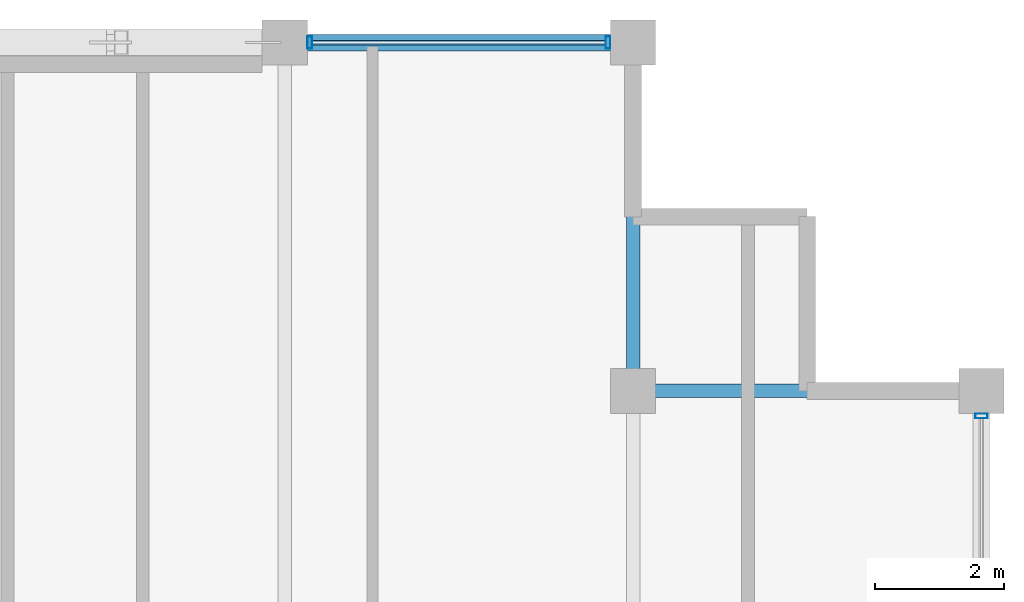
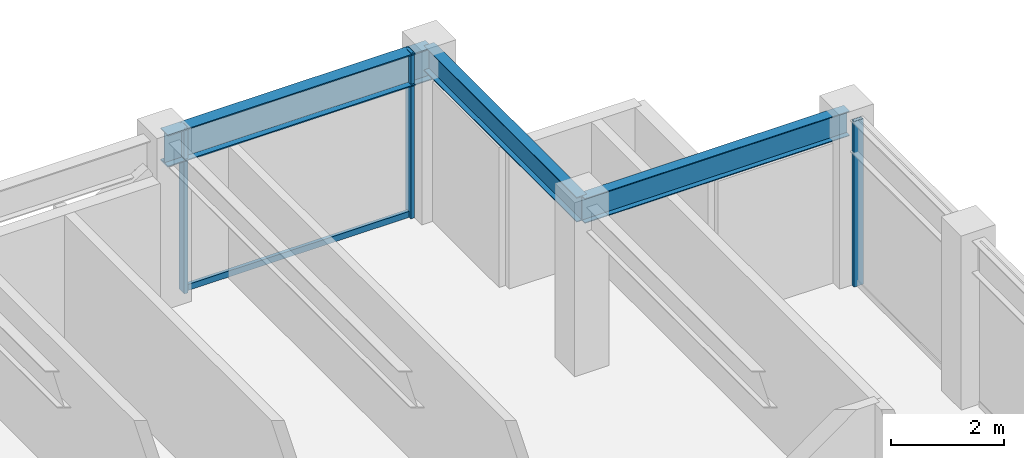
# One storey, part 22 of 30: 4 members, 3 beams, 2 elements without a shape of their own.
"""IFC4 building model written with IfcOpenShell, lengths in metres."""

from ifc_helpers import new_model, si_unit, direction, frame, origin, origin_2d, place, context, subcontext, project, spatial, hollow_rectangle, i_section, extrude, material, layer, layer_set, material_profile, profile_set, type_object, element, aggregate, save


model = new_model("IFC4")

# Units and contexts
model_context = context("Model", 3, precision=1e-05, world=origin(), true_north=direction((0.0, 1.0)))
body_context = subcontext(model_context, "Body", "Model", "MODEL_VIEW")
ifc_project = project(units=[si_unit("LENGTHUNIT", "METRE"), si_unit("AREAUNIT", "SQUARE_METRE"), si_unit("VOLUMEUNIT", "CUBIC_METRE"), si_unit("PLANEANGLEUNIT", "RADIAN"), si_unit("MASSUNIT", "GRAM", prefix="KILO")], contexts=[model_context])

# Site, building, storey
site_placement = place(None, origin())
site = spatial("IfcSite", under=ifc_project, at=site_placement, CompositionType="ELEMENT")
building_placement = place(site_placement, origin())
building = spatial("IfcBuilding", under=site, at=building_placement, Name="Surkhivell Harbour Commons", CompositionType="ELEMENT")
storey_placement = place(building_placement, frame((0.0, 0.0, 300.0)))
storey = spatial("IfcBuildingStorey", under=building, at=storey_placement, Name="L78", CompositionType="ELEMENT", Elevation=300.0)

# Beams
ifc_material_1 = material(Name="Steel S355", Category="steel")
ifc_material_profile_1 = material_profile(ifc_material_1, i_section(OverallWidth=0.2099609375, OverallDepth=0.537109375, WebThickness=0.0107421875, FlangeThickness=0.017333984375, at=origin_2d()), Name="UB533x210x101")
ifc_profile_set_1 = profile_set([ifc_material_profile_1], Name="Steel S355")
beam_type_1 = type_object("IfcBeamType", Name="BM-GRD-533B", PredefinedType="BEAM", material=ifc_profile_set_1)
for number, where, z_axis, x_axis, name in (
    (1, (10.800048828125, 20.5, 3.301513671875), (0.0, 1.0, 0.0), (-1.0, 0.0, 0.0), "L78 Floor Girder (10.8,20.5)"),
    (2, (10.800048828125, 20.5, 3.301513671875), (1.0, 0.0, 0.0), (0.0, 1.0, 0.0), "L78 Floor Girder (10.8,20.5)"),
):
    element("IfcBeam", number, at=place(storey_placement, frame(where, z_axis=z_axis, x_axis=x_axis)), inside=storey, type_object=beam_type_1, Name=name, PredefinedType="BEAM", context=body_context, shape_type="SweptSolid", body=[
        extrude(i_section(OverallWidth=0.2099609375, OverallDepth=0.537109375, WebThickness=0.0107421875, FlangeThickness=0.017333984375, at=origin_2d()), origin(), (0.0, 0.0, 1.0), 5.39990234375),
    ])
ifc_material_profile_2 = material_profile(ifc_material_1, i_section(OverallWidth=0.256103515625, OverallDepth=0.693115234375, WebThickness=0.014404296875, FlangeThickness=0.023681640625, at=origin_2d()), Name="UB686x254x170")
ifc_profile_set_2 = profile_set([ifc_material_profile_2], Name="Steel S355")
beam_type_2 = type_object("IfcBeamType", Name="BM-SPN-686", PredefinedType="SPANDREL", material=ifc_profile_set_2)
beam_placement = place(storey_placement, frame((5.39990234375, 25.89990234375, 3.223388671875), z_axis=(1.0, 0.0, 0.0), x_axis=(0.0, 1.0, 0.0)))
element("IfcBeam", 3, at=beam_placement, inside=storey, type_object=beam_type_2, Name="L78 Tube Spandrel (5.4,25.9)", PredefinedType="SPANDREL", context=body_context, shape_type="SweptSolid", body=[
    extrude(i_section(OverallWidth=0.256103515625, OverallDepth=0.693115234375, WebThickness=0.014404296875, FlangeThickness=0.023681640625, at=origin_2d()), origin(), (0.0, 0.0, 1.0), 5.400146484375),
])

# Curtain wall, member
ifc_material_2 = material(Name="Anodised pale-metal aluminium and insulated glazing", Category="aluminium")
ifc_layer = layer(ifc_material_2, 0.175048828125)
ifc_layer_set = layer_set([ifc_layer], Name="Anodised pale-metal aluminium and insulated glazing")
curtain_wall_type = type_object("IfcCurtainWallType", Name="CW-SYS-Z4", PredefinedType="NOTDEFINED", material=ifc_layer_set)
curtain_wall_1_placement = place(storey_placement, origin())
curtain_wall_1 = element("IfcCurtainWall", 4, at=curtain_wall_1_placement, inside=storey, type_object=curtain_wall_type, Name="L78 Curtain Wall CW-L78-E02", PredefinedType="NOTDEFINED")
ifc_material_3 = material(Name="Anodised pale-metal aluminium alloy 6063-T6", Category="aluminium")
ifc_material_profile_3 = material_profile(ifc_material_3, hollow_rectangle(XDim=0.074951171875, YDim=0.18994140625, WallThickness=0.00390625, at=origin_2d()), Name="ALU-MULL-75x190")
ifc_profile_set_3 = profile_set([ifc_material_profile_3], Name="Anodised pale-metal aluminium alloy 6063-T6")
member_type_1 = type_object("IfcMemberType", Name="CWM-190", PredefinedType="MULLION", material=ifc_profile_set_3)
member_1_placement = place(storey_placement, frame((16.199951171875, 20.110595703125, 0.0), z_axis=(0.0, 0.0, 1.0), x_axis=(0.0, 1.0, 0.0)))
member_1 = element("IfcMember", 5, at=member_1_placement, type_object=member_type_1, Name="CW-Z4 mullion 6", PredefinedType="MULLION", context=body_context, shape_type="SweptSolid", body=[
    extrude(hollow_rectangle(XDim=0.074951171875, YDim=0.18994140625, WallThickness=0.00390625, at=origin_2d()), origin(), (0.0, 0.0, 1.0), 3.570068359375),
])
aggregate(curtain_wall_1, [member_1])

# Curtain wall, members
curtain_wall_2_placement = place(storey_placement, origin())
curtain_wall_2 = element("IfcCurtainWall", 6, at=curtain_wall_2_placement, inside=storey, type_object=curtain_wall_type, Name="L78 Curtain Wall CW-L78-E07S1", PredefinedType="NOTDEFINED")
member_2_placement = place(storey_placement, frame((10.410400390625, 25.89990234375, 0.0), z_axis=(0.0, 0.0, 1.0), x_axis=(-1.0, 0.0, 0.0)))
member_2 = element("IfcMember", 7, at=member_2_placement, type_object=member_type_1, Name="CW-Z4 mullion 1", PredefinedType="MULLION", context=body_context, shape_type="SweptSolid", body=[
    extrude(hollow_rectangle(XDim=0.074951171875, YDim=0.18994140625, WallThickness=0.00390625, at=origin_2d()), origin(), (0.0, 0.0, 1.0), 3.570068359375),
])
member_3_placement = place(storey_placement, frame((5.78955078125, 25.89990234375, 0.0), z_axis=(0.0, 0.0, 1.0), x_axis=(-1.0, 0.0, 0.0)))
member_3 = element("IfcMember", 8, at=member_3_placement, type_object=member_type_1, Name="CW-Z4 mullion 2", PredefinedType="MULLION", context=body_context, shape_type="SweptSolid", body=[
    extrude(hollow_rectangle(XDim=0.074951171875, YDim=0.18994140625, WallThickness=0.00390625, at=origin_2d()), origin(), (0.0, 0.0, 1.0), 3.570068359375),
])
ifc_material_4 = material(Name="Champagne anodised aluminium alloy 6063-T6", Category="aluminium")
ifc_material_profile_4 = material_profile(ifc_material_4, hollow_rectangle(XDim=0.070068359375, YDim=0.1298828125, WallThickness=0.00341796875, at=origin_2d()), Name="ALU-TRAN-70x130")
ifc_profile_set_4 = profile_set([ifc_material_profile_4], Name="Champagne anodised aluminium alloy 6063-T6")
member_type_2 = type_object("IfcMemberType", Name="CWT-130", PredefinedType="USERDEFINED", material=ifc_profile_set_4)
member_4_placement = place(storey_placement, frame((10.373046875, 25.89990234375, 0.06494140625), z_axis=(-1.0, 0.0, 0.0), x_axis=(0.0, -1.0, 0.0)))
member_4 = element("IfcMember", 9, at=member_4_placement, type_object=member_type_2, Name="CW-Z4 transom 1.1", ObjectType="TRANSOM", PredefinedType="USERDEFINED", context=body_context, shape_type="SweptSolid", body=[
    extrude(hollow_rectangle(XDim=0.070068359375, YDim=0.1298828125, WallThickness=0.00341796875, at=origin_2d()), origin(), (0.0, 0.0, 1.0), 4.546142578125),
])
aggregate(curtain_wall_2, [member_2, member_3, member_4])

save(model, "model.ifc")
